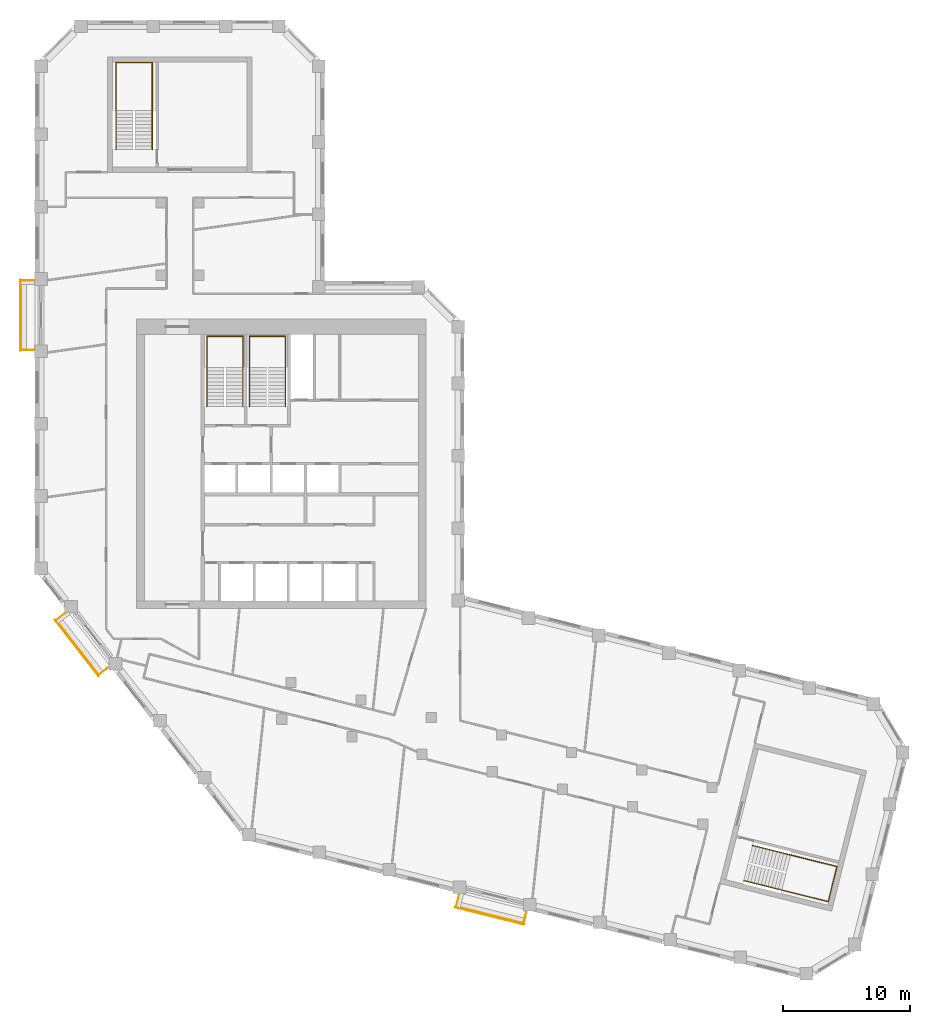
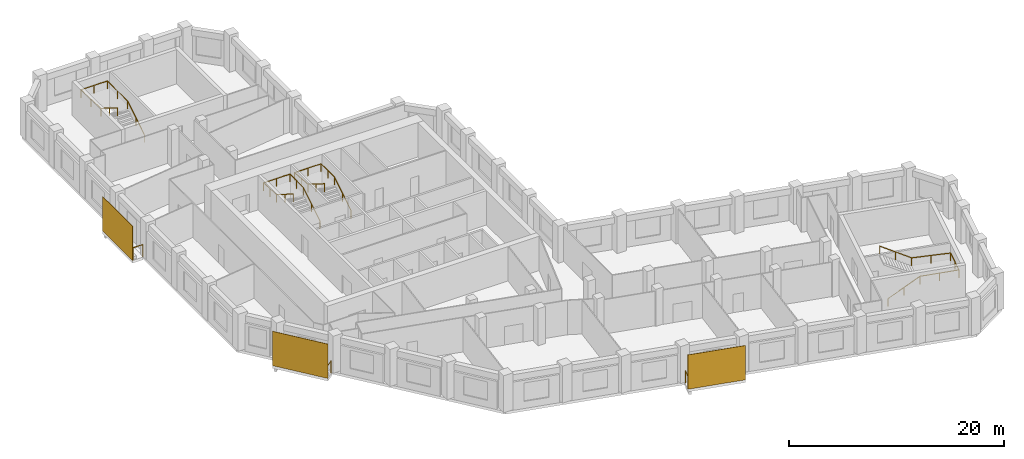
# One storey, part 9 of 9: 7 railings, 3 shading devices.
"""IFC4 building model written with IfcOpenShell, lengths in metres."""

from ifc_helpers import new_model, si_unit, direction, frame, origin, origin_2d, place, context, subcontext, project, spatial, rectangle, circle, extrude, material, layer, layer_set, type_object, element, save


model = new_model("IFC4")

# Units and contexts
model_context = context("Model", 3, precision=1e-05, world=origin(), true_north=direction((0.0, 1.0)))
body_context = subcontext(model_context, "Body", "Model", "MODEL_VIEW")
ifc_project = project(units=[si_unit("LENGTHUNIT", "METRE"), si_unit("AREAUNIT", "SQUARE_METRE"), si_unit("VOLUMEUNIT", "CUBIC_METRE"), si_unit("PLANEANGLEUNIT", "RADIAN"), si_unit("MASSUNIT", "GRAM", prefix="KILO")], contexts=[model_context])

# Site, building, storey
site_placement = place(None, origin())
site = spatial("IfcSite", under=ifc_project, at=site_placement, CompositionType="ELEMENT")
building_placement = place(site_placement, origin())
building = spatial("IfcBuilding", under=site, at=building_placement, Name="Meshkara Civic Tower", CompositionType="ELEMENT")
storey_placement = place(building_placement, frame((0.0, 0.0, 315.0)))
storey = spatial("IfcBuildingStorey", under=building, at=storey_placement, Name="L72", CompositionType="ELEMENT", Elevation=315.0)

# Railings
ifc_material_1 = material(Name="Steel S355", Category="steel")
railing_type_1 = type_object("IfcRailingType", Name="BALUSTRADE GUARD 1400", PredefinedType="BALUSTRADE", material=ifc_material_1)
railing_1_placement = place(storey_placement, frame((-0.050048828125, 39.93505859375, 0.0)))
element("IfcRailing", 1, at=railing_1_placement, inside=storey, type_object=railing_type_1, Name="Balcony guard", PredefinedType="BALUSTRADE", context=body_context, shape_type="SweptSolid", body=[
    extrude(circle(Radius=0.02392578125, at=origin_2d()), frame((0.0, 0.0, 1.3759765625), z_axis=(-1.0, 0.0, 0.0), x_axis=(0.0, -1.0, 0.0)), (0.0, 0.0, 1.0), 1.06005859375),
    extrude(circle(Radius=0.02392578125, at=origin_2d()), frame((-1.06005859375, 0.0, 1.3759765625), z_axis=(0.0, -1.0, 0.0), x_axis=(1.0, 0.0, 0.0)), (0.0, 0.0, 1.0), 5.4599609375),
    extrude(circle(Radius=0.02392578125, at=origin_2d()), frame((-1.06005859375, -5.4599609375, 1.3759765625), z_axis=(1.0, 0.0, 0.0), x_axis=(0.0, 1.0, 0.0)), (0.0, 0.0, 1.0), 1.06005859375),
    extrude(circle(Radius=0.02099609375, at=origin_2d()), origin(), (0.0, 0.0, 1.0), 1.351806640625),
    extrude(circle(Radius=0.02099609375, at=origin_2d()), frame((-1.06005859375, 0.0, 0.0)), (0.0, 0.0, 1.0), 1.351806640625),
    extrude(circle(Radius=0.02099609375, at=origin_2d()), frame((-1.06005859375, -1.092041015625, 0.0)), (0.0, 0.0, 1.0), 1.351806640625),
    extrude(circle(Radius=0.02099609375, at=origin_2d()), frame((-1.06005859375, -2.18408203125, 0.0)), (0.0, 0.0, 1.0), 1.351806640625),
    extrude(circle(Radius=0.02099609375, at=origin_2d()), frame((-1.06005859375, -3.27587890625, 0.0)), (0.0, 0.0, 1.0), 1.351806640625),
    extrude(circle(Radius=0.02099609375, at=origin_2d()), frame((-1.06005859375, -4.367919921875, 0.0)), (0.0, 0.0, 1.0), 1.351806640625),
    extrude(circle(Radius=0.02099609375, at=origin_2d()), frame((-1.06005859375, -5.4599609375, 0.0)), (0.0, 0.0, 1.0), 1.351806640625),
    extrude(circle(Radius=0.02099609375, at=origin_2d()), frame((0.0, -5.4599609375, 0.0)), (0.0, 0.0, 1.0), 1.351806640625),
])
railing_2_placement = place(storey_placement, frame((2.3349609375, 13.701904296875, 0.0)))
element("IfcRailing", 2, at=railing_2_placement, inside=storey, type_object=railing_type_1, Name="Balcony guard", PredefinedType="BALUSTRADE", context=body_context, shape_type="SweptSolid", body=[
    extrude(circle(Radius=0.02392578125, at=origin_2d()), frame((0.0, 0.0, 1.3759765625), z_axis=(-0.788201277662, -0.615417537849, 0.0), x_axis=(0.615417537849, -0.788201277662, 0.0)), (0.0, 0.0, 1.0), 0.857666015625),
    extrude(circle(Radius=0.02392578125, at=origin_2d()), frame((-0.676025390625, -0.52783203125, 1.3759765625), z_axis=(0.615573755741, -0.788079279795, 0.0), x_axis=(0.788079279795, 0.615573755741, 0.0)), (0.0, 0.0, 1.0), 5.460205078125),
    extrude(circle(Radius=0.02392578125, at=origin_2d()), frame((2.68505859375, -4.830810546875, 1.3759765625), z_axis=(0.787649039858, 0.616124167689, 0.0), x_axis=(-0.616124167689, 0.787649039858, 0.0)), (0.0, 0.0, 1.0), 0.8583984375),
    extrude(circle(Radius=0.02099609375, at=origin_2d()), origin(), (0.0, 0.0, 1.0), 1.351806640625),
    extrude(circle(Radius=0.02099609375, at=origin_2d()), frame((-0.676025390625, -0.52783203125, 0.0)), (0.0, 0.0, 1.0), 1.351806640625),
    extrude(circle(Radius=0.02099609375, at=origin_2d()), frame((-0.00390625, -1.388427734375, 0.0)), (0.0, 0.0, 1.0), 1.351806640625),
    extrude(circle(Radius=0.02099609375, at=origin_2d()), frame((0.66845703125, -2.2490234375, 0.0)), (0.0, 0.0, 1.0), 1.351806640625),
    extrude(circle(Radius=0.02099609375, at=origin_2d()), frame((1.340576171875, -3.109619140625, 0.0)), (0.0, 0.0, 1.0), 1.351806640625),
    extrude(circle(Radius=0.02099609375, at=origin_2d()), frame((2.012939453125, -3.97021484375, 0.0)), (0.0, 0.0, 1.0), 1.351806640625),
    extrude(circle(Radius=0.02099609375, at=origin_2d()), frame((2.68505859375, -4.830810546875, 0.0)), (0.0, 0.0, 1.0), 1.351806640625),
    extrude(circle(Radius=0.02099609375, at=origin_2d()), frame((3.361083984375, -4.302001953125, 0.0)), (0.0, 0.0, 1.0), 1.351806640625),
])
railing_3_placement = place(storey_placement, frame((33.4130859375, -8.491943359375, 0.0)))
element("IfcRailing", 3, at=railing_3_placement, inside=storey, type_object=railing_type_1, Name="Balcony guard", PredefinedType="BALUSTRADE", context=body_context, shape_type="SweptSolid", body=[
    extrude(circle(Radius=0.02392578125, at=origin_2d()), frame((0.0, 0.0, 1.3759765625), z_axis=(-0.242475378497, -0.970157559793, 0.0), x_axis=(0.970157559793, -0.242475378497, 0.0)), (0.0, 0.0, 1.0), 0.95361328125),
    extrude(circle(Radius=0.02392578125, at=origin_2d()), frame((-0.231201171875, -0.925048828125, 1.3759765625), z_axis=(0.970292231073, -0.24193591366, 0.0), x_axis=(0.24193591366, 0.970292231073, 0.0)), (0.0, 0.0, 1.0), 5.460205078125),
    extrude(circle(Radius=0.02392578125, at=origin_2d()), frame((5.06689453125, -2.24609375, 1.3759765625), z_axis=(0.242234364289, 0.970217765637, 0.0), x_axis=(-0.970217765637, 0.242234364289, 0.0)), (0.0, 0.0, 1.0), 0.953369140625),
    extrude(circle(Radius=0.02099609375, at=origin_2d()), origin(), (0.0, 0.0, 1.0), 1.351806640625),
    extrude(circle(Radius=0.02099609375, at=origin_2d()), frame((-0.231201171875, -0.925048828125, 0.0)), (0.0, 0.0, 1.0), 1.351806640625),
    extrude(circle(Radius=0.02099609375, at=origin_2d()), frame((0.828369140625, -1.189208984375, 0.0)), (0.0, 0.0, 1.0), 1.351806640625),
    extrude(circle(Radius=0.02099609375, at=origin_2d()), frame((1.887939453125, -1.453369140625, 0.0)), (0.0, 0.0, 1.0), 1.351806640625),
    extrude(circle(Radius=0.02099609375, at=origin_2d()), frame((2.94775390625, -1.7177734375, 0.0)), (0.0, 0.0, 1.0), 1.351806640625),
    extrude(circle(Radius=0.02099609375, at=origin_2d()), frame((4.00732421875, -1.98193359375, 0.0)), (0.0, 0.0, 1.0), 1.351806640625),
    extrude(circle(Radius=0.02099609375, at=origin_2d()), frame((5.06689453125, -2.24609375, 0.0)), (0.0, 0.0, 1.0), 1.351806640625),
    extrude(circle(Radius=0.02099609375, at=origin_2d()), frame((5.2978515625, -1.321044921875, 0.0)), (0.0, 0.0, 1.0), 1.351806640625),
])

# Shading devices
ifc_material_2 = material(Name="Perforated bronze anodised aluminium sheet", Category="aluminium")
ifc_layer = layer(ifc_material_2, 0.0400390625)
ifc_layer_set = layer_set([ifc_layer], Name="PERFORATED BRONZE SCREEN")
shading_device_type = type_object("IfcShadingDeviceType", Name="PERFORATED BRONZE SCREEN", PredefinedType="USERDEFINED", material=ifc_layer_set)
for number, where, z_axis, x_axis, name in (
    (4, (-1.179931640625, 37.205078125, 0.0), (0.0, 0.0, 1.0), (0.0, -1.0, 0.0), "Balcony screen"),
    (5, (3.283935546875, 10.97998046875, 0.0), (0.0, 0.0, 1.0), (0.615661475326, -0.788010753607, 0.0), "Balcony screen"),
    (6, (35.81396484375, -10.14599609375, 0.0), (0.0, 0.0, 1.0), (0.970295726276, -0.2419218956, 0.0), "Balcony screen"),
):
    element("IfcShadingDevice", number, at=place(storey_placement, frame(where, z_axis=z_axis, x_axis=x_axis)), inside=storey, type_object=shading_device_type, Name=name, ObjectType="SCREEN", PredefinedType="USERDEFINED", context=body_context, shape_type="SweptSolid", body=[
        extrude(rectangle(XDim=5.580078125, YDim=0.0400390625, at=origin_2d()), origin(), (0.0, 0.0, 1.0), 3.89990234375),
    ])

# Railings
ifc_material_3 = material(Name="Steel handrail", Category="steel")
railing_type_2 = type_object("IfcRailingType", Name="Stair handrail 900", PredefinedType="HANDRAIL", material=ifc_material_3)
railing_4_placement = place(storey_placement, frame((16.375, 30.0, 0.175048828125)))
element("IfcRailing", 7, at=railing_4_placement, inside=storey, type_object=railing_type_2, Name="L72 ST1 stair handrail 1", PredefinedType="HANDRAIL", context=body_context, shape_type="SweptSolid", body=[
    extrude(circle(Radius=0.02392578125, at=origin_2d()), frame((0.0, 0.0, 0.8759765625), z_axis=(0.0, 0.847998304005, 0.529998940003), x_axis=(-1.0, 0.0, 0.0)), (0.0, 0.0, 1.0), 3.632080078125),
    extrude(circle(Radius=0.02392578125, at=origin_2d()), frame((0.0, 3.080078125, 2.80078125), z_axis=(0.0, 1.0, 0.0), x_axis=(-1.0, 0.0, 0.0)), (0.0, 0.0, 1.0), 2.469970703125),
    extrude(circle(Radius=0.02392578125, at=origin_2d()), frame((0.0, 5.550048828125, 2.80078125), z_axis=(-1.0, 0.0, 0.0), x_axis=(0.0, -1.0, 0.0)), (0.0, 0.0, 1.0), 2.85009765625),
    extrude(circle(Radius=0.02392578125, at=origin_2d()), frame((-2.85009765625, 5.550048828125, 2.80078125), z_axis=(0.0, -0.997505032726, 0.070595394231), x_axis=(1.0, 0.0, 0.0)), (0.0, 0.0, 1.0), 2.47607421875),
    extrude(circle(Radius=0.02392578125, at=origin_2d()), frame((-2.85009765625, 3.080078125, 2.9755859375), z_axis=(0.0, -0.847998304005, 0.529998940003), x_axis=(1.0, 0.0, 0.0)), (0.0, 0.0, 1.0), 3.632080078125),
    extrude(circle(Radius=0.02099609375, at=origin_2d()), origin(), (0.0, 0.0, 1.0), 0.851806640625),
    extrude(circle(Radius=0.02099609375, at=origin_2d()), frame((0.0, 1.5400390625, 0.96240234375)), (0.0, 0.0, 1.0), 0.851806640625),
    extrude(circle(Radius=0.02099609375, at=origin_2d()), frame((0.0, 3.080078125, 1.925048828125)), (0.0, 0.0, 1.0), 0.851806640625),
    extrude(circle(Radius=0.02099609375, at=origin_2d()), frame((0.0, 4.31494140625, 1.925048828125)), (0.0, 0.0, 1.0), 0.851806640625),
    extrude(circle(Radius=0.02099609375, at=origin_2d()), frame((0.0, 5.550048828125, 1.925048828125)), (0.0, 0.0, 1.0), 0.851806640625),
    extrude(circle(Radius=0.02099609375, at=origin_2d()), frame((-1.425048828125, 5.550048828125, 1.925048828125)), (0.0, 0.0, 1.0), 0.851806640625),
    extrude(circle(Radius=0.02099609375, at=origin_2d()), frame((-2.85009765625, 5.550048828125, 1.925048828125)), (0.0, 0.0, 1.0), 0.851806640625),
    extrude(circle(Radius=0.02099609375, at=origin_2d()), frame((-2.85009765625, 4.31494140625, 2.012451171875)), (0.0, 0.0, 1.0), 0.851806640625),
    extrude(circle(Radius=0.02099609375, at=origin_2d()), frame((-2.85009765625, 3.080078125, 2.099853515625)), (0.0, 0.0, 1.0), 0.851806640625),
    extrude(circle(Radius=0.02099609375, at=origin_2d()), frame((-2.85009765625, 1.5400390625, 3.0625)), (0.0, 0.0, 1.0), 0.851806640625),
    extrude(circle(Radius=0.02099609375, at=origin_2d()), frame((-2.85009765625, 0.0, 4.02490234375)), (0.0, 0.0, 1.0), 0.851806640625),
])
railing_5_placement = place(storey_placement, frame((19.72509765625, 30.0, 0.175048828125)))
element("IfcRailing", 8, at=railing_5_placement, inside=storey, type_object=railing_type_2, Name="L72 ST2 stair handrail 1", PredefinedType="HANDRAIL", context=body_context, shape_type="SweptSolid", body=[
    extrude(circle(Radius=0.02392578125, at=origin_2d()), frame((0.0, 0.0, 0.8759765625), z_axis=(0.0, 0.847998304005, 0.529998940003), x_axis=(-1.0, 0.0, 0.0)), (0.0, 0.0, 1.0), 3.632080078125),
    extrude(circle(Radius=0.02392578125, at=origin_2d()), frame((0.0, 3.080078125, 2.80078125), z_axis=(0.0, 1.0, 0.0), x_axis=(-1.0, 0.0, 0.0)), (0.0, 0.0, 1.0), 2.469970703125),
    extrude(circle(Radius=0.02392578125, at=origin_2d()), frame((0.0, 5.550048828125, 2.80078125), z_axis=(-1.0, 0.0, 0.0), x_axis=(0.0, -1.0, 0.0)), (0.0, 0.0, 1.0), 2.85009765625),
    extrude(circle(Radius=0.02392578125, at=origin_2d()), frame((-2.85009765625, 5.550048828125, 2.80078125), z_axis=(0.0, -0.997505032726, 0.070595394231), x_axis=(1.0, 0.0, 0.0)), (0.0, 0.0, 1.0), 2.47607421875),
    extrude(circle(Radius=0.02392578125, at=origin_2d()), frame((-2.85009765625, 3.080078125, 2.9755859375), z_axis=(0.0, -0.847998304005, 0.529998940003), x_axis=(1.0, 0.0, 0.0)), (0.0, 0.0, 1.0), 3.632080078125),
    extrude(circle(Radius=0.02099609375, at=origin_2d()), origin(), (0.0, 0.0, 1.0), 0.851806640625),
    extrude(circle(Radius=0.02099609375, at=origin_2d()), frame((0.0, 1.5400390625, 0.96240234375)), (0.0, 0.0, 1.0), 0.851806640625),
    extrude(circle(Radius=0.02099609375, at=origin_2d()), frame((0.0, 3.080078125, 1.925048828125)), (0.0, 0.0, 1.0), 0.851806640625),
    extrude(circle(Radius=0.02099609375, at=origin_2d()), frame((0.0, 4.31494140625, 1.925048828125)), (0.0, 0.0, 1.0), 0.851806640625),
    extrude(circle(Radius=0.02099609375, at=origin_2d()), frame((0.0, 5.550048828125, 1.925048828125)), (0.0, 0.0, 1.0), 0.851806640625),
    extrude(circle(Radius=0.02099609375, at=origin_2d()), frame((-1.425048828125, 5.550048828125, 1.925048828125)), (0.0, 0.0, 1.0), 0.851806640625),
    extrude(circle(Radius=0.02099609375, at=origin_2d()), frame((-2.85009765625, 5.550048828125, 1.925048828125)), (0.0, 0.0, 1.0), 0.851806640625),
    extrude(circle(Radius=0.02099609375, at=origin_2d()), frame((-2.85009765625, 4.31494140625, 2.012451171875)), (0.0, 0.0, 1.0), 0.851806640625),
    extrude(circle(Radius=0.02099609375, at=origin_2d()), frame((-2.85009765625, 3.080078125, 2.099853515625)), (0.0, 0.0, 1.0), 0.851806640625),
    extrude(circle(Radius=0.02099609375, at=origin_2d()), frame((-2.85009765625, 1.5400390625, 3.0625)), (0.0, 0.0, 1.0), 0.851806640625),
    extrude(circle(Radius=0.02099609375, at=origin_2d()), frame((-2.85009765625, 0.0, 4.02490234375)), (0.0, 0.0, 1.0), 0.851806640625),
])
railing_6_placement = place(storey_placement, frame((9.22509765625, 50.27001953125, 0.175048828125)))
element("IfcRailing", 9, at=railing_6_placement, inside=storey, type_object=railing_type_2, Name="L72 ESA5 stair handrail 1", PredefinedType="HANDRAIL", context=body_context, shape_type="SweptSolid", body=[
    extrude(circle(Radius=0.02392578125, at=origin_2d()), frame((0.0, 0.0, 0.8759765625), z_axis=(0.0, 0.847998304005, 0.529998940003), x_axis=(-1.0, 0.0, 0.0)), (0.0, 0.0, 1.0), 3.632080078125),
    extrude(circle(Radius=0.02392578125, at=origin_2d()), frame((0.0, 3.080078125, 2.80078125), z_axis=(0.0, 1.0, 0.0), x_axis=(-1.0, 0.0, 0.0)), (0.0, 0.0, 1.0), 3.77001953125),
    extrude(circle(Radius=0.02392578125, at=origin_2d()), frame((0.0, 6.85009765625, 2.80078125), z_axis=(-1.0, 0.0, 0.0), x_axis=(0.0, -1.0, 0.0)), (0.0, 0.0, 1.0), 2.85009765625),
    extrude(circle(Radius=0.02392578125, at=origin_2d()), frame((-2.85009765625, 6.85009765625, 2.80078125), z_axis=(0.0, -0.998926778478, 0.046317288783), x_axis=(1.0, 0.0, 0.0)), (0.0, 0.0, 1.0), 3.774169921875),
    extrude(circle(Radius=0.02392578125, at=origin_2d()), frame((-2.85009765625, 3.080078125, 2.9755859375), z_axis=(0.0, -0.847998304005, 0.529998940003), x_axis=(1.0, 0.0, 0.0)), (0.0, 0.0, 1.0), 3.632080078125),
    extrude(circle(Radius=0.02099609375, at=origin_2d()), origin(), (0.0, 0.0, 1.0), 0.851806640625),
    extrude(circle(Radius=0.02099609375, at=origin_2d()), frame((0.0, 1.5400390625, 0.96240234375)), (0.0, 0.0, 1.0), 0.851806640625),
    extrude(circle(Radius=0.02099609375, at=origin_2d()), frame((0.0, 3.080078125, 1.925048828125)), (0.0, 0.0, 1.0), 0.851806640625),
    extrude(circle(Radius=0.02099609375, at=origin_2d()), frame((0.0, 4.965087890625, 1.925048828125)), (0.0, 0.0, 1.0), 0.851806640625),
    extrude(circle(Radius=0.02099609375, at=origin_2d()), frame((0.0, 6.85009765625, 1.925048828125)), (0.0, 0.0, 1.0), 0.851806640625),
    extrude(circle(Radius=0.02099609375, at=origin_2d()), frame((-1.425048828125, 6.85009765625, 1.925048828125)), (0.0, 0.0, 1.0), 0.851806640625),
    extrude(circle(Radius=0.02099609375, at=origin_2d()), frame((-2.85009765625, 6.85009765625, 1.925048828125)), (0.0, 0.0, 1.0), 0.851806640625),
    extrude(circle(Radius=0.02099609375, at=origin_2d()), frame((-2.85009765625, 4.965087890625, 2.012451171875)), (0.0, 0.0, 1.0), 0.851806640625),
    extrude(circle(Radius=0.02099609375, at=origin_2d()), frame((-2.85009765625, 3.080078125, 2.099853515625)), (0.0, 0.0, 1.0), 0.851806640625),
    extrude(circle(Radius=0.02099609375, at=origin_2d()), frame((-2.85009765625, 1.5400390625, 3.0625)), (0.0, 0.0, 1.0), 0.851806640625),
    extrude(circle(Radius=0.02099609375, at=origin_2d()), frame((-2.85009765625, 0.0, 4.02490234375)), (0.0, 0.0, 1.0), 0.851806640625),
])
railing_7_placement = place(storey_placement, frame((55.849365234375, -7.3544921875, 0.175048828125)))
element("IfcRailing", 10, at=railing_7_placement, inside=storey, type_object=railing_type_2, Name="L72 ESB5 stair handrail 1", PredefinedType="HANDRAIL", context=body_context, shape_type="SweptSolid", body=[
    extrude(circle(Radius=0.02392578125, at=origin_2d()), frame((0.0, 0.0, 0.8759765625), z_axis=(0.822781968105, -0.205275396666, 0.529992306062), x_axis=(0.242069343812, 0.970258951408, 0.0)), (0.0, 0.0, 1.0), 3.63232421875),
    extrude(circle(Radius=0.02392578125, at=origin_2d()), frame((2.988525390625, -0.74560546875, 2.80078125), z_axis=(0.970256677427, -0.242078458165, 0.0), x_axis=(0.242078458165, 0.970256677427, 0.0)), (0.0, 0.0, 1.0), 3.769775390625),
    extrude(circle(Radius=0.02392578125, at=origin_2d()), frame((6.646240234375, -1.658203125, 2.80078125), z_axis=(0.242072031574, 0.970258280835, 0.0), x_axis=(-0.970258280835, 0.242072031574, 0.0)), (0.0, 0.0, 1.0), 2.85009765625),
    extrude(circle(Radius=0.02392578125, at=origin_2d()), frame((7.336181640625, 1.107177734375, 2.80078125), z_axis=(-0.969219200799, 0.24180346877, 0.046316555281), x_axis=(-0.242063248025, -0.970260472221, 0.0)), (0.0, 0.0, 1.0), 3.774169921875),
    extrude(circle(Radius=0.02392578125, at=origin_2d()), frame((3.67822265625, 2.019775390625, 2.9755859375), z_axis=(-0.822771605551, 0.205222362071, 0.530028930537), x_axis=(-0.242013336109, -0.97027292302, 0.0)), (0.0, 0.0, 1.0), 3.632080078125),
    extrude(circle(Radius=0.02099609375, at=origin_2d()), origin(), (0.0, 0.0, 1.0), 0.851806640625),
    extrude(circle(Radius=0.02099609375, at=origin_2d()), frame((1.494140625, -0.372802734375, 0.96240234375)), (0.0, 0.0, 1.0), 0.851806640625),
    extrude(circle(Radius=0.02099609375, at=origin_2d()), frame((2.988525390625, -0.74560546875, 1.925048828125)), (0.0, 0.0, 1.0), 0.851806640625),
    extrude(circle(Radius=0.02099609375, at=origin_2d()), frame((4.8173828125, -1.201904296875, 1.925048828125)), (0.0, 0.0, 1.0), 0.851806640625),
    extrude(circle(Radius=0.02099609375, at=origin_2d()), frame((6.646240234375, -1.658203125, 1.925048828125)), (0.0, 0.0, 1.0), 0.851806640625),
    extrude(circle(Radius=0.02099609375, at=origin_2d()), frame((6.9912109375, -0.275390625, 1.925048828125)), (0.0, 0.0, 1.0), 0.851806640625),
    extrude(circle(Radius=0.02099609375, at=origin_2d()), frame((7.336181640625, 1.107177734375, 1.925048828125)), (0.0, 0.0, 1.0), 0.851806640625),
    extrude(circle(Radius=0.02099609375, at=origin_2d()), frame((5.50732421875, 1.5634765625, 2.012451171875)), (0.0, 0.0, 1.0), 0.851806640625),
    extrude(circle(Radius=0.02099609375, at=origin_2d()), frame((3.67822265625, 2.019775390625, 2.099853515625)), (0.0, 0.0, 1.0), 0.851806640625),
    extrude(circle(Radius=0.02099609375, at=origin_2d()), frame((2.18408203125, 2.392578125, 3.0625)), (0.0, 0.0, 1.0), 0.851806640625),
    extrude(circle(Radius=0.02099609375, at=origin_2d()), frame((0.68994140625, 2.76513671875, 4.02490234375)), (0.0, 0.0, 1.0), 0.851806640625),
])

save(model, "model.ifc")
